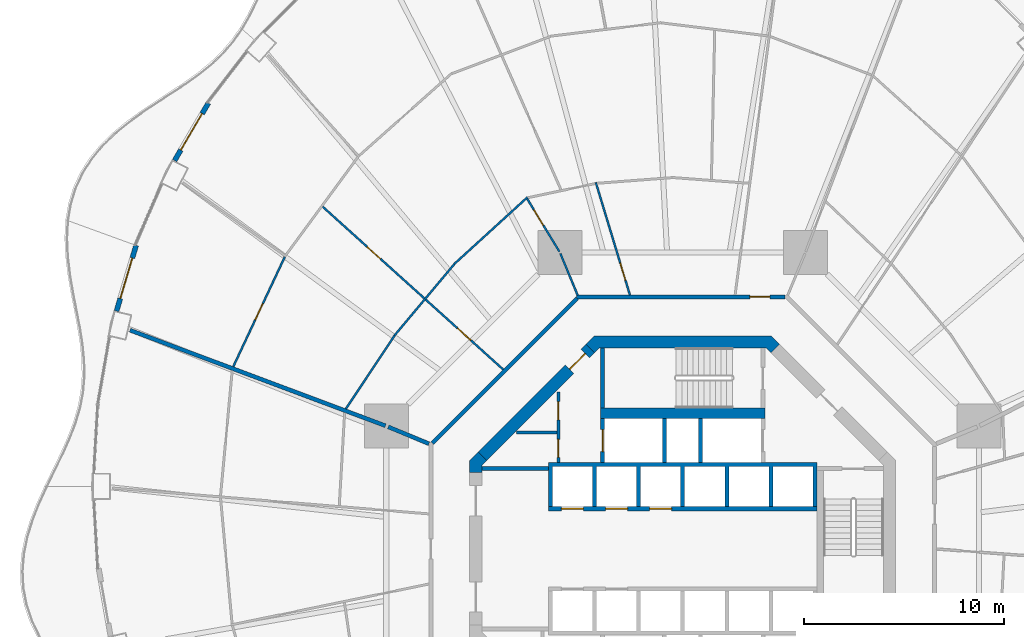
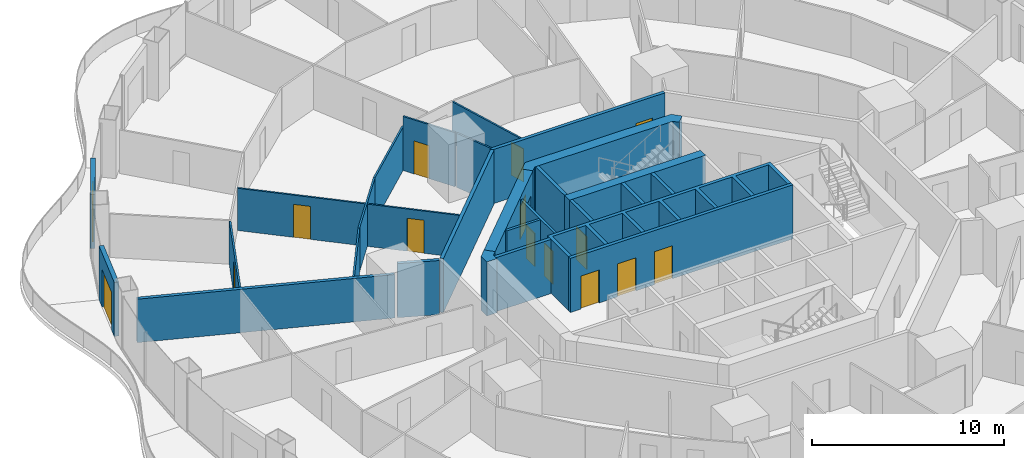
# One storey, part 17 of 22: 27 walls, 15 doors, 15 openings.
"""IFC4 building model written with IfcOpenShell, lengths in metres."""

from ifc_helpers import new_model, si_unit, direction, frame, frame_2d, origin, place, context, subcontext, project, spatial, polyline, rectangle, outline, extrude, material, layer, layer_set, type_object, element, fill, save


model = new_model("IFC4")

# Units and contexts
model_context = context("Model", 3, precision=1e-05, world=origin(), true_north=direction((0.0, 1.0)))
body_context = subcontext(model_context, "Body", "Model", "MODEL_VIEW")
ifc_project = project(units=[si_unit("LENGTHUNIT", "METRE"), si_unit("AREAUNIT", "SQUARE_METRE"), si_unit("VOLUMEUNIT", "CUBIC_METRE"), si_unit("PLANEANGLEUNIT", "RADIAN"), si_unit("MASSUNIT", "GRAM", prefix="KILO")], contexts=[model_context])

# Site, building, storey
site_placement = place(None, origin())
site = spatial("IfcSite", under=ifc_project, at=site_placement, CompositionType="ELEMENT")
building_placement = place(site_placement, origin())
building = spatial("IfcBuilding", under=site, at=building_placement, Name="Nagisa Residences", CompositionType="ELEMENT")
storey_placement = place(building_placement, frame((0.0, 0.0, 73.300048828125)))
storey = spatial("IfcBuildingStorey", under=building, at=storey_placement, Name="L17", CompositionType="ELEMENT", Elevation=73.300048828125)

# Walls
ifc_material_1 = material(Name="Gypsum board on steel studs", Category="steel")
ifc_layer_1 = layer(ifc_material_1, 0.199951171875)
ifc_layer_set_1 = layer_set([ifc_layer_1], Name="Apartment compartment wall EI60 200")
wall_type_1 = type_object("IfcWallType", Name="Apartment compartment wall EI60 200", PredefinedType="PARTITIONING", material=ifc_layer_set_1)
wall_1_placement = place(storey_placement, frame((-12.6572265625, 5.24267578125, 0.0), z_axis=(0.0, 0.0, 1.0), x_axis=(-0.923843626288, 0.382770106157, 0.0)))
element("IfcWall", 1, at=wall_1_placement, inside=storey, type_object=wall_type_1, Name="wall:L17:u02", PredefinedType="PARTITIONING", context=body_context, shape_type="SweptSolid", body=[
    extrude(rectangle(XDim=2.19921875, YDim=0.199951171875, at=frame_2d((1.099609375, 0.0))), origin(), (0.0, 0.0, 1.0), 3.43994140625),
])
wall_2_placement = place(storey_placement, frame((-14.828857421875, 6.140380859375, 0.0), z_axis=(0.0, 0.0, 1.0), x_axis=(-0.936597324342, 0.35040755134, 0.0)))
element("IfcWall", 2, at=wall_2_placement, inside=storey, type_object=wall_type_1, Name="wall:L17:u03", PredefinedType="PARTITIONING", context=body_context, shape_type="SweptSolid", body=[
    extrude(rectangle(XDim=13.605712890625, YDim=0.199951171875, at=frame_2d((6.802734375, 0.0))), origin(), (0.0, 0.0, 1.0), 2.761962890625),
])

# Wall, opening, door
ifc_material_2 = material(Name="Gypsum board on steel studs", Category="steel")
ifc_layer_2 = layer(ifc_material_2, 0.199951171875)
ifc_layer_set_2 = layer_set([ifc_layer_2], Name="Apartment entry wall EI60 200")
wall_type_2 = type_object("IfcWallType", Name="Apartment entry wall EI60 200", PredefinedType="PARTITIONING", material=ifc_layer_set_2)
wall_3_placement = place(storey_placement, frame((5.1044921875, 12.564697265625, 0.0), z_axis=(0.0, 0.0, 1.0), x_axis=(-1.0, 0.0, 0.0)))
wall_3 = element("IfcWall", 3, at=wall_3_placement, inside=storey, type_object=wall_type_2, Name="wall:L17:u10", PredefinedType="PARTITIONING", context=body_context, shape_type="SweptSolid", body=[
    extrude(rectangle(XDim=10.408935546875, YDim=0.199951171875, at=frame_2d((5.20458984375, 0.0))), origin(), (0.0, 0.0, 1.0), 3.43994140625),
])
opening_1_placement = place(wall_3_placement, frame((0.751220703125, 0.0, 0.0)))
opening_1 = element("IfcOpeningElement", 4, at=opening_1_placement, cuts=wall_3, Name="Opening L17-U01", PredefinedType="OPENING", context=body_context, shape_type="SweptSolid", body=[
    extrude(rectangle(XDim=1.0, YDim=2.10009765625, at=frame_2d((0.5, 1.050048828125))), frame((0.0, 0.10986328125, 0.0), z_axis=(0.0, -1.0, 0.0), x_axis=(1.0, 0.0, 0.0)), (0.0, 0.0, 1.0), 0.219970703125),
])
ifc_material_3 = material(Name="Timber fire door set", Category="wood")
door_type_1 = type_object("IfcDoorType", Name="Apartment entry door FD30S 1000x2100", OperationType="NOTDEFINED", PredefinedType="DOOR", material=ifc_material_3)
door_1_placement = place(opening_1_placement, frame((1.0, 0.0, 0.0), x_axis=(-1.0, 0.0, 0.0)))
door_1 = element("IfcDoor", 5, at=door_1_placement, inside=storey, type_object=door_type_1, Name="Entry door, Apartment 17A", OperationType="SINGLE_SWING_RIGHT", OverallHeight=2.10009765625, OverallWidth=1.0, PredefinedType="DOOR", context=body_context, shape_type="SweptSolid", body=[
    extrude(rectangle(XDim=1.0, YDim=2.10009765625, at=frame_2d((0.5, 1.050048828125))), frame((0.0, 0.02490234375, 0.0), z_axis=(0.0, -1.0, 0.0), x_axis=(1.0, 0.0, 0.0)), (0.0, 0.0, 1.0), 0.050048828125),
])
fill(opening_1, door_1)

# Wall
wall_4_placement = place(storey_placement, frame((-5.275146484375, 12.494140625, 0.0), z_axis=(0.0, 0.0, 1.0), x_axis=(-0.707106781187, -0.707106781187, 0.0)))
element("IfcWall", 6, at=wall_4_placement, inside=storey, type_object=wall_type_2, Name="wall:L17:u11", PredefinedType="PARTITIONING", context=body_context, shape_type="SweptSolid", body=[
    extrude(rectangle(XDim=10.209228515625, YDim=0.199951171875, at=frame_2d((5.1044921875, 0.0))), origin(), (0.0, 0.0, 1.0), 3.43994140625),
])

# Wall, opening, door
ifc_material_4 = material(Name="Gypsum board on steel studs", Category="steel")
ifc_layer_3 = layer(ifc_material_4, 0.10009765625)
ifc_layer_set_3 = layer_set([ifc_layer_3], Name="Apartment partition 100")
wall_type_3 = type_object("IfcWallType", Name="Apartment partition 100", PredefinedType="PARTITIONING", material=ifc_layer_set_3)
wall_5_placement = place(storey_placement, frame((-2.63134765625, 12.660400390625, 0.0), z_axis=(0.0, 0.0, 1.0), x_axis=(-0.290145836284, 0.956982441682, 0.0)))
wall_5 = element("IfcWall", 7, at=wall_5_placement, inside=storey, type_object=wall_type_3, Name="wall:L17:u38", PredefinedType="PARTITIONING", context=body_context, shape_type="SweptSolid", body=[
    extrude(rectangle(XDim=5.873291015625, YDim=0.10009765625, at=frame_2d((2.9365234375, 0.0))), origin(), (0.0, 0.0, 1.0), 2.68701171875),
])
opening_2_placement = place(wall_5_placement, frame((0.772216796875, 0.0, 0.0)))
opening_2 = element("IfcOpeningElement", 8, at=opening_2_placement, cuts=wall_5, Name="Opening L17-U04", PredefinedType="OPENING", context=body_context, shape_type="SweptSolid", body=[
    extrude(rectangle(XDim=0.89990234375, YDim=2.10009765625, at=frame_2d((0.449951171875, 1.050048828125))), frame((0.0, 0.06005859375, 0.0), z_axis=(0.0, -1.0, 0.0), x_axis=(1.0, 0.0, 0.0)), (0.0, 0.0, 1.0), 0.1201171875),
])
ifc_material_5 = material(Name="Timber door set", Category="wood")
door_type_2 = type_object("IfcDoorType", Name="Apartment door 900x2100", OperationType="NOTDEFINED", PredefinedType="DOOR", material=ifc_material_5)
door_2_placement = place(opening_2_placement, origin())
door_2 = element("IfcDoor", 9, at=door_2_placement, inside=storey, type_object=door_type_2, Name="Door to laundry, Apartment 17A", OperationType="SINGLE_SWING_RIGHT", OverallHeight=2.10009765625, OverallWidth=0.89990234375, PredefinedType="DOOR", context=body_context, shape_type="SweptSolid", body=[
    extrude(rectangle(XDim=0.89990234375, YDim=2.10009765625, at=frame_2d((0.449951171875, 1.050048828125))), frame((0.0, 0.02490234375, 0.0), z_axis=(0.0, -1.0, 0.0), x_axis=(1.0, 0.0, 0.0)), (0.0, 0.0, 1.0), 0.050048828125),
])
fill(opening_2, door_2)

# Wall
wall_6_placement = place(storey_placement, frame((-5.24267578125, 12.6572265625, 0.0), z_axis=(0.0, 0.0, 1.0), x_axis=(-0.382703272338, 0.923871314276, 0.0)))
element("IfcWall", 10, at=wall_6_placement, inside=storey, type_object=wall_type_3, Name="wall:L17:u42", PredefinedType="PARTITIONING", context=body_context, shape_type="SweptSolid", body=[
    extrude(rectangle(XDim=2.249267578125, YDim=0.10009765625, at=frame_2d((1.12451171875, 0.0))), origin(), (0.0, 0.0, 1.0), 3.43994140625),
])

# Wall, opening, door
wall_7_placement = place(storey_placement, frame((-6.14892578125, 14.82470703125, 0.0), z_axis=(0.0, 0.0, 1.0), x_axis=(-0.520433196839, 0.853902387646, 0.0)))
wall_7 = element("IfcWall", 11, at=wall_7_placement, inside=storey, type_object=wall_type_3, Name="wall:L17:u43", PredefinedType="PARTITIONING", context=body_context, shape_type="SweptSolid", body=[
    extrude(rectangle(XDim=3.089599609375, YDim=0.10009765625, at=frame_2d((1.544921875, 0.0))), origin(), (0.0, 0.0, 1.0), 3.43994140625),
])
opening_3_placement = place(wall_7_placement, frame((1.54150390625, 0.0, 0.0)))
opening_3 = element("IfcOpeningElement", 12, at=opening_3_placement, cuts=wall_7, Name="Opening L17-U05", PredefinedType="OPENING", context=body_context, shape_type="SweptSolid", body=[
    extrude(rectangle(XDim=0.89990234375, YDim=2.10009765625, at=frame_2d((0.449951171875, 1.050048828125))), frame((0.0, 0.06005859375, 0.0), z_axis=(0.0, -1.0, 0.0), x_axis=(1.0, 0.0, 0.0)), (0.0, 0.0, 1.0), 0.1201171875),
])
door_3_placement = place(opening_3_placement, origin())
door_3 = element("IfcDoor", 13, at=door_3_placement, inside=storey, type_object=door_type_2, Name="Door to store, Apartment 17A", OperationType="SINGLE_SWING_LEFT", OverallHeight=2.10009765625, OverallWidth=0.89990234375, PredefinedType="DOOR", context=body_context, shape_type="SweptSolid", body=[
    extrude(rectangle(XDim=0.89990234375, YDim=2.10009765625, at=frame_2d((0.449951171875, 1.050048828125))), frame((0.0, 0.02490234375, 0.0), z_axis=(0.0, -1.0, 0.0), x_axis=(1.0, 0.0, 0.0)), (0.0, 0.0, 1.0), 0.050048828125),
])
fill(opening_3, door_3)

# Walls
wall_8_placement = place(storey_placement, frame((-7.745849609375, 17.539306640625, 0.0), z_axis=(0.0, 0.0, 1.0), x_axis=(-0.738860434967, -0.673858484877, 0.0)))
element("IfcWall", 14, at=wall_8_placement, inside=storey, type_object=wall_type_3, Name="wall:L17:u44", PredefinedType="PARTITIONING", context=body_context, shape_type="SweptSolid", body=[
    extrude(rectangle(XDim=4.946533203125, YDim=0.10009765625, at=frame_2d((2.47314453125, 0.0))), origin(), (0.0, 0.0, 1.0), 2.761962890625),
])
wall_9_placement = place(storey_placement, frame((-11.39599609375, 14.20166015625, 0.0), z_axis=(0.0, 0.0, 1.0), x_axis=(-0.642475660273, -0.766306091557, 0.0)))
element("IfcWall", 15, at=wall_9_placement, inside=storey, type_object=wall_type_3, Name="wall:L17:u46", PredefinedType="PARTITIONING", context=body_context, shape_type="SweptSolid", body=[
    extrude(rectangle(XDim=4.63720703125, YDim=0.10009765625, at=frame_2d((2.318603515625, 0.0))), origin(), (0.0, 0.0, 1.0), 2.761962890625),
])

# Wall, openings, doors
wall_10_placement = place(storey_placement, frame((-8.958984375, 8.95166015625, 0.0), z_axis=(0.0, 0.0, 1.0), x_axis=(-0.742679904999, 0.669646592398, 0.0)))
wall_10 = element("IfcWall", 16, at=wall_10_placement, inside=storey, type_object=wall_type_3, Name="wall:L17:u49", PredefinedType="PARTITIONING", context=body_context, shape_type="SweptSolid", body=[
    extrude(rectangle(XDim=12.121337890625, YDim=0.10009765625, at=frame_2d((6.060546875, 0.0))), origin(), (0.0, 0.0, 1.0), 2.68701171875),
])
opening_4_placement = place(wall_10_placement, frame((2.172119140625, 0.0, 0.0)))
opening_4 = element("IfcOpeningElement", 17, at=opening_4_placement, cuts=wall_10, Name="Opening L17-U06", PredefinedType="OPENING", context=body_context, shape_type="SweptSolid", body=[
    extrude(rectangle(XDim=0.89990234375, YDim=2.10009765625, at=frame_2d((0.449951171875, 1.050048828125))), frame((0.0, 0.06005859375, 0.0), z_axis=(0.0, -1.0, 0.0), x_axis=(1.0, 0.0, 0.0)), (0.0, 0.0, 1.0), 0.1201171875),
])
opening_5_placement = place(wall_10_placement, frame((8.232666015625, 0.0, 0.0)))
opening_5 = element("IfcOpeningElement", 18, at=opening_5_placement, cuts=wall_10, Name="Opening L17-U11", PredefinedType="OPENING", context=body_context, shape_type="SweptSolid", body=[
    extrude(rectangle(XDim=0.89990234375, YDim=2.10009765625, at=frame_2d((0.449951171875, 1.050048828125))), frame((0.0, 0.06005859375, 0.0), z_axis=(0.0, -1.0, 0.0), x_axis=(1.0, 0.0, 0.0)), (0.0, 0.0, 1.0), 0.1201171875),
])
door_4_placement = place(opening_4_placement, origin())
door_4 = element("IfcDoor", 19, at=door_4_placement, inside=storey, type_object=door_type_2, Name="Door to laundry, Apartment 17A", OperationType="SINGLE_SWING_RIGHT", OverallHeight=2.10009765625, OverallWidth=0.89990234375, PredefinedType="DOOR", context=body_context, shape_type="SweptSolid", body=[
    extrude(rectangle(XDim=0.89990234375, YDim=2.10009765625, at=frame_2d((0.449951171875, 1.050048828125))), frame((0.0, 0.02490234375, 0.0), z_axis=(0.0, -1.0, 0.0), x_axis=(1.0, 0.0, 0.0)), (0.0, 0.0, 1.0), 0.050048828125),
])
fill(opening_4, door_4)
door_5_placement = place(opening_5_placement, origin())
door_5 = element("IfcDoor", 20, at=door_5_placement, inside=storey, type_object=door_type_2, Name="Door to dining room, Apartment 17A", OperationType="SINGLE_SWING_LEFT", OverallHeight=2.10009765625, OverallWidth=0.89990234375, PredefinedType="DOOR", context=body_context, shape_type="SweptSolid", body=[
    extrude(rectangle(XDim=0.89990234375, YDim=2.10009765625, at=frame_2d((0.449951171875, 1.050048828125))), frame((0.0, 0.02490234375, 0.0), z_axis=(0.0, -1.0, 0.0), x_axis=(1.0, 0.0, 0.0)), (0.0, 0.0, 1.0), 0.050048828125),
])
fill(opening_5, door_5)

# Wall
wall_11_placement = place(storey_placement, frame((-14.370849609375, 10.64501953125, 0.0), z_axis=(0.0, 0.0, 1.0), x_axis=(-0.553341009285, -0.832954817168, 0.0)))
element("IfcWall", 21, at=wall_11_placement, inside=storey, type_object=wall_type_3, Name="wall:L17:u50", PredefinedType="PARTITIONING", context=body_context, shape_type="SweptSolid", body=[
    extrude(rectangle(XDim=4.396240234375, YDim=0.10009765625, at=frame_2d((2.1982421875, 0.0))), origin(), (0.0, 0.0, 1.0), 2.761962890625),
])

# Wall, opening, door
wall_12_placement = place(storey_placement, frame((-19.85009765625, 14.5673828125, 0.0), z_axis=(0.0, 0.0, 1.0), x_axis=(-0.424942210745, -0.905220480064, 0.0)))
wall_12 = element("IfcWall", 22, at=wall_12_placement, inside=storey, type_object=wall_type_3, Name="wall:L17:u52", PredefinedType="PARTITIONING", context=body_context, shape_type="SweptSolid", body=[
    extrude(rectangle(XDim=6.05322265625, YDim=0.10009765625, at=frame_2d((3.026611328125, 0.0))), origin(), (0.0, 0.0, 1.0), 2.761962890625),
])
opening_6_placement = place(wall_12_placement, frame((2.57666015625, 0.0, 0.0)))
opening_6 = element("IfcOpeningElement", 23, at=opening_6_placement, cuts=wall_12, Name="Opening L17-U18", PredefinedType="OPENING", context=body_context, shape_type="SweptSolid", body=[
    extrude(rectangle(XDim=0.89990234375, YDim=2.10009765625, at=frame_2d((0.449951171875, 1.050048828125))), frame((0.0, 0.06005859375, 0.0), z_axis=(0.0, -1.0, 0.0), x_axis=(1.0, 0.0, 0.0)), (0.0, 0.0, 1.0), 0.1201171875),
])
door_6_placement = place(opening_6_placement, frame((0.89990234375, 0.0, 0.0), x_axis=(-1.0, 0.0, 0.0)))
door_6 = element("IfcDoor", 24, at=door_6_placement, inside=storey, type_object=door_type_2, Name="Door to dining room, Apartment 17A", OperationType="SINGLE_SWING_LEFT", OverallHeight=2.10009765625, OverallWidth=0.89990234375, PredefinedType="DOOR", context=body_context, shape_type="SweptSolid", body=[
    extrude(rectangle(XDim=0.89990234375, YDim=2.10009765625, at=frame_2d((0.449951171875, 1.050048828125))), frame((0.0, 0.02490234375, 0.0), z_axis=(0.0, -1.0, 0.0), x_axis=(1.0, 0.0, 0.0)), (0.0, 0.0, 1.0), 0.050048828125),
])
fill(opening_6, door_6)

ifc_material_6 = material(Name="Precast concrete C40/50", Category="concrete")
ifc_layer_4 = layer(ifc_material_6, 0.25)
ifc_layer_set_4 = layer_set([ifc_layer_4], Name="BALCONY DOOR WALL 250")
wall_type_4 = type_object("IfcWallType", Name="BALCONY DOOR WALL 250", PredefinedType="SOLIDWALL", material=ifc_layer_set_4)
wall_13_placement = place(storey_placement, frame((-25.34765625, 19.372314453125, 0.0), z_axis=(0.0, 0.0, 1.0), x_axis=(0.506352525095, 0.86232657406, 0.0)))
wall_13 = element("IfcWall", 25, at=wall_13_placement, inside=storey, type_object=wall_type_4, Name="wall:L17:bay19", PredefinedType="SOLIDWALL", context=body_context, shape_type="SweptSolid", body=[
    extrude(rectangle(XDim=3.324951171875, YDim=0.25, at=frame_2d((1.66259765625, 0.0))), origin(), (0.0, 0.0, 1.0), 3.43994140625),
])
opening_7_placement = place(wall_13_placement, frame((0.6123046875, 0.0, 0.0)))
opening_7 = element("IfcOpeningElement", 26, at=opening_7_placement, cuts=wall_13, Name="Opening BD-L17-07", PredefinedType="OPENING", context=body_context, shape_type="SweptSolid", body=[
    extrude(rectangle(XDim=2.10009765625, YDim=2.39990234375, at=frame_2d((1.050048828125, 1.199951171875))), frame((0.0, 0.135009765625, 0.0), z_axis=(0.0, -1.0, 0.0), x_axis=(1.0, 0.0, 0.0)), (0.0, 0.0, 1.0), 0.27001953125),
])
ifc_material_7 = material(Name="Aluminium and clear glass", Category="aluminium")
door_type_3 = type_object("IfcDoorType", Name="BALCONY SLIDING DOOR 2100x2400", OperationType="SLIDING_TO_LEFT", PredefinedType="DOOR", material=ifc_material_7)
door_7_placement = place(opening_7_placement, origin())
door_7 = element("IfcDoor", 27, at=door_7_placement, inside=storey, type_object=door_type_3, Name="door:L17:bay19", OperationType="SLIDING_TO_LEFT", OverallHeight=2.39990234375, OverallWidth=2.10009765625, PredefinedType="DOOR", context=body_context, shape_type="SweptSolid", body=[
    extrude(rectangle(XDim=2.10009765625, YDim=2.39990234375, at=frame_2d((1.050048828125, 1.199951171875))), frame((0.0, 0.02490234375, 0.0), z_axis=(0.0, -1.0, 0.0), x_axis=(1.0, 0.0, 0.0)), (0.0, 0.0, 1.0), 0.050048828125),
])
fill(opening_7, door_7)

wall_14_placement = place(storey_placement, frame((-28.24560546875, 11.861572265625, 0.0), z_axis=(0.0, 0.0, 1.0), x_axis=(0.285816610469, 0.958284334203, 0.0)))
wall_14 = element("IfcWall", 28, at=wall_14_placement, inside=storey, type_object=wall_type_4, Name="wall:L17:bay21", PredefinedType="SOLIDWALL", context=body_context, shape_type="SweptSolid", body=[
    extrude(rectangle(XDim=3.423583984375, YDim=0.25, at=frame_2d((1.7119140625, 0.0))), origin(), (0.0, 0.0, 1.0), 3.43994140625),
])
opening_8_placement = place(wall_14_placement, frame((0.661865234375, 0.0, 0.0)))
opening_8 = element("IfcOpeningElement", 29, at=opening_8_placement, cuts=wall_14, Name="Opening BD-L17-08", PredefinedType="OPENING", context=body_context, shape_type="SweptSolid", body=[
    extrude(rectangle(XDim=2.10009765625, YDim=2.39990234375, at=frame_2d((1.050048828125, 1.199951171875))), frame((0.0, 0.135009765625, 0.0), z_axis=(0.0, -1.0, 0.0), x_axis=(1.0, 0.0, 0.0)), (0.0, 0.0, 1.0), 0.27001953125),
])
door_8_placement = place(opening_8_placement, origin())
door_8 = element("IfcDoor", 30, at=door_8_placement, inside=storey, type_object=door_type_3, Name="door:L17:bay21", OperationType="SLIDING_TO_LEFT", OverallHeight=2.39990234375, OverallWidth=2.10009765625, PredefinedType="DOOR", context=body_context, shape_type="SweptSolid", body=[
    extrude(rectangle(XDim=2.10009765625, YDim=2.39990234375, at=frame_2d((1.050048828125, 1.199951171875))), frame((0.0, 0.02490234375, 0.0), z_axis=(0.0, -1.0, 0.0), x_axis=(1.0, 0.0, 0.0)), (0.0, 0.0, 1.0), 0.050048828125),
])
fill(opening_8, door_8)

# Wall, openings, doors
ifc_material_8 = material(Name="Gypsum board on steel studs", Category="steel")
ifc_layer_5 = layer(ifc_material_8, 0.14990234375)
ifc_layer_set_5 = layer_set([ifc_layer_5], Name="Core partition 150")
wall_type_5 = type_object("IfcWallType", Name="Core partition 150", PredefinedType="PARTITIONING", material=ifc_layer_set_5)
wall_15_placement = place(storey_placement, frame((-6.199951171875, 4.300048828125, 0.0), z_axis=(0.0, 0.0, 1.0), x_axis=(0.0, 1.0, 0.0)))
wall_15 = element("IfcWall", 31, at=wall_15_placement, inside=storey, type_object=wall_type_5, Name="wall:L17:NWp", PredefinedType="PARTITIONING", context=body_context, shape_type="SweptSolid", body=[
    extrude(rectangle(XDim=3.52685546875, YDim=0.14990234375, at=frame_2d((1.763427734375, 0.0))), origin(), (0.0, 0.0, 1.0), 3.43994140625),
])
opening_9_placement = place(wall_15_placement, frame((0.262451171875, 0.0, 0.0)))
opening_9 = element("IfcOpeningElement", 32, at=opening_9_placement, cuts=wall_15, Name="Opening L17-C12", PredefinedType="OPENING", context=body_context, shape_type="SweptSolid", body=[
    extrude(rectangle(XDim=0.89990234375, YDim=2.10009765625, at=frame_2d((0.449951171875, 1.050048828125))), frame((0.0, 0.0849609375, 0.0), z_axis=(0.0, -1.0, 0.0), x_axis=(1.0, 0.0, 0.0)), (0.0, 0.0, 1.0), 0.169921875),
])
opening_10_placement = place(wall_15_placement, frame((2.138427734375, 0.0, 0.0)))
opening_10 = element("IfcOpeningElement", 33, at=opening_10_placement, cuts=wall_15, Name="Opening L17-C13", PredefinedType="OPENING", context=body_context, shape_type="SweptSolid", body=[
    extrude(rectangle(XDim=0.89990234375, YDim=2.10009765625, at=frame_2d((0.449951171875, 1.050048828125))), frame((0.0, 0.0849609375, 0.0), z_axis=(0.0, -1.0, 0.0), x_axis=(1.0, 0.0, 0.0)), (0.0, 0.0, 1.0), 0.169921875),
])
ifc_material_9 = material(Name="Steel fire door", Category="steel")
door_type_4 = type_object("IfcDoorType", Name="Fire door EI30 900x2100 single swing", OperationType="NOTDEFINED", PredefinedType="DOOR", material=ifc_material_9)
door_9_placement = place(opening_9_placement, origin())
door_9 = element("IfcDoor", 34, at=door_9_placement, inside=storey, type_object=door_type_4, Name="Electrical room door L17", OperationType="SINGLE_SWING_RIGHT", OverallHeight=2.10009765625, OverallWidth=0.89990234375, PredefinedType="DOOR", context=body_context, shape_type="SweptSolid", body=[
    extrude(rectangle(XDim=0.89990234375, YDim=2.10009765625, at=frame_2d((0.449951171875, 1.050048828125))), frame((0.0, 0.02490234375, 0.0), z_axis=(0.0, -1.0, 0.0), x_axis=(1.0, 0.0, 0.0)), (0.0, 0.0, 1.0), 0.050048828125),
])
fill(opening_9, door_9)
door_10_placement = place(opening_10_placement, origin())
door_10 = element("IfcDoor", 35, at=door_10_placement, inside=storey, type_object=door_type_4, Name="Telecom room door L17", OperationType="SINGLE_SWING_RIGHT", OverallHeight=2.10009765625, OverallWidth=0.89990234375, PredefinedType="DOOR", context=body_context, shape_type="SweptSolid", body=[
    extrude(rectangle(XDim=0.89990234375, YDim=2.10009765625, at=frame_2d((0.449951171875, 1.050048828125))), frame((0.0, 0.02490234375, 0.0), z_axis=(0.0, -1.0, 0.0), x_axis=(1.0, 0.0, 0.0)), (0.0, 0.0, 1.0), 0.050048828125),
])
fill(opening_10, door_10)

# Walls
wall_16_placement = place(storey_placement, frame((-8.301025390625, 5.800048828125, 0.0), z_axis=(0.0, 0.0, 1.0), x_axis=(1.0, 0.0, 0.0)))
element("IfcWall", 36, at=wall_16_placement, inside=storey, type_object=wall_type_5, Name="wall:L17:NWq", PredefinedType="PARTITIONING", context=body_context, shape_type="SweptSolid", body=[
    extrude(rectangle(XDim=2.026123046875, YDim=0.14990234375, at=frame_2d((1.01318359375, 0.0))), origin(), (0.0, 0.0, 1.0), 3.43994140625),
])
ifc_material_10 = material(Name="Gypsum board on steel studs", Category="steel")
ifc_layer_6 = layer(ifc_material_10, 0.199951171875)
ifc_layer_set_6 = layer_set([ifc_layer_6], Name="Core partition 200")
wall_type_6 = type_object("IfcWallType", Name="Core partition 200", PredefinedType="PARTITIONING", material=ifc_layer_set_6)
wall_17_placement = place(storey_placement, frame((-10.024658203125, 4.0, 0.0), z_axis=(0.0, 0.0, 1.0), x_axis=(1.0, 0.0, 0.0)))
element("IfcWall", 37, at=wall_17_placement, inside=storey, type_object=wall_type_6, Name="wall:L17:PNW", PredefinedType="PARTITIONING", context=body_context, shape_type="SweptSolid", body=[
    extrude(rectangle(XDim=3.32470703125, YDim=0.199951171875, at=frame_2d((1.662353515625, 0.0))), origin(), (0.0, 0.0, 1.0), 3.43994140625),
])

# Wall, opening, door
ifc_material_11 = material(Name="Concrete C60", Category="concrete")
ifc_layer_7 = layer(ifc_material_11, 0.60009765625)
ifc_layer_set_7 = layer_set([ifc_layer_7], Name="Core shear wall 600")
wall_type_7 = type_object("IfcWallType", Name="Core shear wall 600", PredefinedType="SHEAR", material=ifc_layer_set_7)
wall_18_placement = place(storey_placement, frame((-4.613037109375, 9.98828125, 0.0), z_axis=(0.0, 0.0, 1.0), x_axis=(-0.707106781187, -0.707106781187, 0.0)))
wall_18 = element("IfcWall", 38, at=wall_18_placement, inside=storey, type_object=wall_type_7, Name="wall:L17:core:flat3", PredefinedType="SHEAR", context=body_context, shape_type="SweptSolid", body=[
    extrude(rectangle(XDim=7.601806640625, YDim=0.60009765625, at=frame_2d((3.80078125, 0.0))), origin(), (0.0, 0.0, 1.0), 3.43994140625),
])
opening_11_placement = place(wall_18_placement, frame((0.350830078125, 0.0, 0.0)))
opening_11 = element("IfcOpeningElement", 39, at=opening_11_placement, cuts=wall_18, Name="Opening L17-C20", PredefinedType="OPENING", context=body_context, shape_type="SweptSolid", body=[
    extrude(rectangle(XDim=1.10009765625, YDim=2.10009765625, at=frame_2d((0.550048828125, 1.050048828125))), frame((0.0, 0.31005859375, 0.0), z_axis=(0.0, -1.0, 0.0), x_axis=(1.0, 0.0, 0.0)), (0.0, 0.0, 1.0), 0.6201171875),
])
ifc_material_12 = material(Name="Steel fire door", Category="steel")
door_type_5 = type_object("IfcDoorType", Name="Fire door EI60 1100x2100 single swing", OperationType="NOTDEFINED", PredefinedType="DOOR", material=ifc_material_12)
door_11_placement = place(opening_11_placement, origin())
door_11 = element("IfcDoor", 40, at=door_11_placement, inside=storey, type_object=door_type_5, Name="Service lobby door L17", OperationType="SINGLE_SWING_LEFT", OverallHeight=2.10009765625, OverallWidth=1.10009765625, PredefinedType="DOOR", context=body_context, shape_type="SweptSolid", body=[
    extrude(rectangle(XDim=1.10009765625, YDim=2.10009765625, at=frame_2d((0.550048828125, 1.050048828125))), frame((0.0, 0.02490234375, 0.0), z_axis=(0.0, -1.0, 0.0), x_axis=(1.0, 0.0, 0.0)), (0.0, 0.0, 1.0), 0.050048828125),
])
fill(opening_11, door_11)

# Walls
wall_19_placement = place(storey_placement, origin())
element("IfcWall", 41, at=wall_19_placement, inside=storey, type_object=wall_type_7, Name="wall:L17:core:pier3", PredefinedType="SHEAR", context=body_context, shape_type="SweptSolid", body=[
    extrude(outline(polyline([(-10.200439453125, 4.8251953125), (-9.776123046875, 4.40087890625), (-10.024658203125, 4.15234375), (-10.024658203125, 3.80078125), (-10.62451171875, 3.80078125), (-10.62451171875, 4.40087890625), (-10.200439453125, 4.8251953125)])), origin(), (0.0, 0.0, 1.0), 3.43994140625),
])
wall_20_placement = place(storey_placement, origin())
element("IfcWall", 42, at=wall_20_placement, inside=storey, type_object=wall_type_7, Name="wall:L17:core:flat2", PredefinedType="SHEAR", context=body_context, shape_type="SweptSolid", body=[
    extrude(outline(polyline([(-4.15234375, 10.024658203125), (-4.40087890625, 9.776123046875), (-4.8251953125, 10.200439453125), (-4.40087890625, 10.62451171875), (4.40087890625, 10.62451171875), (4.8251953125, 10.200439453125), (4.40087890625, 9.776123046875), (4.15234375, 10.024658203125), (-4.15234375, 10.024658203125)])), origin(), (0.0, 0.0, 1.0), 3.43994140625),
])

# Wall, opening, door
ifc_material_13 = material(Name="Concrete C60", Category="concrete")
ifc_layer_8 = layer(ifc_material_13, 0.199951171875)
ifc_layer_set_8 = layer_set([ifc_layer_8], Name="Lift shaft wall 200")
wall_type_8 = type_object("IfcWallType", Name="Lift shaft wall 200", PredefinedType="SOLIDWALL", material=ifc_layer_set_8)
wall_21_placement = place(storey_placement, frame((-4.0, 4.300048828125, 0.0), z_axis=(0.0, 0.0, 1.0), x_axis=(0.0, 1.0, 0.0)))
wall_21 = element("IfcWall", 43, at=wall_21_placement, inside=storey, type_object=wall_type_8, Name="wall:L17:Nb4", PredefinedType="SOLIDWALL", context=body_context, shape_type="SweptSolid", body=[
    extrude(rectangle(XDim=2.199951171875, YDim=0.199951171875, at=frame_2d((1.10009765625, 0.0))), origin(), (0.0, 0.0, 1.0), 3.43994140625),
])
opening_12_placement = place(wall_21_placement, frame((0.550048828125, 0.0, 0.0)))
opening_12 = element("IfcOpeningElement", 44, at=opening_12_placement, cuts=wall_21, Name="Opening L17-C08", PredefinedType="OPENING", context=body_context, shape_type="SweptSolid", body=[
    extrude(rectangle(XDim=1.10009765625, YDim=2.10009765625, at=frame_2d((0.550048828125, 1.050048828125))), frame((0.0, 0.10986328125, 0.0), z_axis=(0.0, -1.0, 0.0), x_axis=(1.0, 0.0, 0.0)), (0.0, 0.0, 1.0), 0.219970703125),
])
ifc_material_14 = material(Name="Stainless steel", Category="steel")
door_type_6 = type_object("IfcDoorType", Name="Lift landing door 1100x2100", OperationType="DOUBLE_DOOR_SLIDING", PredefinedType="DOOR", material=ifc_material_14)
door_12_placement = place(opening_12_placement, origin())
door_12 = element("IfcDoor", 45, at=door_12_placement, inside=storey, type_object=door_type_6, Name="Landing door SV L17", OperationType="DOUBLE_DOOR_SLIDING", OverallHeight=2.10009765625, OverallWidth=1.10009765625, PredefinedType="DOOR", context=body_context, shape_type="SweptSolid", body=[
    extrude(rectangle(XDim=1.10009765625, YDim=2.10009765625, at=frame_2d((0.550048828125, 1.050048828125))), frame((0.0, 0.02490234375, 0.0), z_axis=(0.0, -1.0, 0.0), x_axis=(1.0, 0.0, 0.0)), (0.0, 0.0, 1.0), 0.050048828125),
])
fill(opening_12, door_12)

# Wall, openings, doors
wall_22_placement = place(storey_placement, frame((-6.699951171875, 2.0, 0.0), z_axis=(0.0, 0.0, 1.0), x_axis=(1.0, 0.0, 0.0)))
wall_22 = element("IfcWall", 46, at=wall_22_placement, inside=storey, type_object=wall_type_8, Name="wall:L17:Nfront", PredefinedType="SOLIDWALL", context=body_context, shape_type="SweptSolid", body=[
    extrude(rectangle(XDim=13.39990234375, YDim=0.199951171875, at=frame_2d((6.699951171875, 0.0))), origin(), (0.0, 0.0, 1.0), 3.43994140625),
])
opening_13_placement = place(wall_22_placement, frame((0.64990234375, 0.0, 0.0)))
opening_13 = element("IfcOpeningElement", 47, at=opening_13_placement, cuts=wall_22, Name="Opening L17-C01", PredefinedType="OPENING", context=body_context, shape_type="SweptSolid", body=[
    extrude(rectangle(XDim=1.10009765625, YDim=2.10009765625, at=frame_2d((0.550048828125, 1.050048828125))), frame((0.0, 0.10986328125, 0.0), z_axis=(0.0, -1.0, 0.0), x_axis=(1.0, 0.0, 0.0)), (0.0, 0.0, 1.0), 0.219970703125),
])
opening_14_placement = place(wall_22_placement, frame((2.85009765625, 0.0, 0.0)))
opening_14 = element("IfcOpeningElement", 48, at=opening_14_placement, cuts=wall_22, Name="Opening L17-C02", PredefinedType="OPENING", context=body_context, shape_type="SweptSolid", body=[
    extrude(rectangle(XDim=1.10009765625, YDim=2.10009765625, at=frame_2d((0.550048828125, 1.050048828125))), frame((0.0, 0.10986328125, 0.0), z_axis=(0.0, -1.0, 0.0), x_axis=(1.0, 0.0, 0.0)), (0.0, 0.0, 1.0), 0.219970703125),
])
opening_15_placement = place(wall_22_placement, frame((5.050048828125, 0.0, 0.0)))
opening_15 = element("IfcOpeningElement", 49, at=opening_15_placement, cuts=wall_22, Name="Opening L17-C03", PredefinedType="OPENING", context=body_context, shape_type="SweptSolid", body=[
    extrude(rectangle(XDim=1.10009765625, YDim=2.10009765625, at=frame_2d((0.550048828125, 1.050048828125))), frame((0.0, 0.10986328125, 0.0), z_axis=(0.0, -1.0, 0.0), x_axis=(1.0, 0.0, 0.0)), (0.0, 0.0, 1.0), 0.219970703125),
])
door_13_placement = place(opening_13_placement, origin())
door_13 = element("IfcDoor", 50, at=door_13_placement, inside=storey, type_object=door_type_6, Name="Landing door A1 L17", OperationType="DOUBLE_DOOR_SLIDING", OverallHeight=2.10009765625, OverallWidth=1.10009765625, PredefinedType="DOOR", context=body_context, shape_type="SweptSolid", body=[
    extrude(rectangle(XDim=1.10009765625, YDim=2.10009765625, at=frame_2d((0.550048828125, 1.050048828125))), frame((0.0, 0.02490234375, 0.0), z_axis=(0.0, -1.0, 0.0), x_axis=(1.0, 0.0, 0.0)), (0.0, 0.0, 1.0), 0.050048828125),
])
fill(opening_13, door_13)
door_14_placement = place(opening_14_placement, origin())
door_14 = element("IfcDoor", 51, at=door_14_placement, inside=storey, type_object=door_type_6, Name="Landing door A2 L17", OperationType="DOUBLE_DOOR_SLIDING", OverallHeight=2.10009765625, OverallWidth=1.10009765625, PredefinedType="DOOR", context=body_context, shape_type="SweptSolid", body=[
    extrude(rectangle(XDim=1.10009765625, YDim=2.10009765625, at=frame_2d((0.550048828125, 1.050048828125))), frame((0.0, 0.02490234375, 0.0), z_axis=(0.0, -1.0, 0.0), x_axis=(1.0, 0.0, 0.0)), (0.0, 0.0, 1.0), 0.050048828125),
])
fill(opening_14, door_14)
door_15_placement = place(opening_15_placement, origin())
door_15 = element("IfcDoor", 52, at=door_15_placement, inside=storey, type_object=door_type_6, Name="Landing door A3 L17", OperationType="DOUBLE_DOOR_SLIDING", OverallHeight=2.10009765625, OverallWidth=1.10009765625, PredefinedType="DOOR", context=body_context, shape_type="SweptSolid", body=[
    extrude(rectangle(XDim=1.10009765625, YDim=2.10009765625, at=frame_2d((0.550048828125, 1.050048828125))), frame((0.0, 0.02490234375, 0.0), z_axis=(0.0, -1.0, 0.0), x_axis=(1.0, 0.0, 0.0)), (0.0, 0.0, 1.0), 0.050048828125),
])
fill(opening_15, door_15)

# Walls
for number, where, z_axis, x_axis, name in (
    (53, (-0.89990234375, 4.300048828125, 0.0), (0.0, 0.0, 1.0), (0.0, 1.0, 0.0), "wall:L17:Nb1"),
    (54, (0.89990234375, 4.300048828125, 0.0), (0.0, 0.0, 1.0), (0.0, 1.0, 0.0), "wall:L17:Nb2"),
):
    element("IfcWall", number, at=place(storey_placement, frame(where, z_axis=z_axis, x_axis=x_axis)), inside=storey, type_object=wall_type_8, Name=name, PredefinedType="SOLIDWALL", context=body_context, shape_type="SweptSolid", body=[
        extrude(rectangle(XDim=2.199951171875, YDim=0.199951171875, at=frame_2d((1.10009765625, 0.0))), origin(), (0.0, 0.0, 1.0), 3.43994140625),
    ])
wall_23_placement = place(storey_placement, origin())
element("IfcWall", 55, at=wall_23_placement, inside=storey, type_object=wall_type_8, Name="wall:L17:Nback", PredefinedType="SOLIDWALL", context=body_context, shape_type="SweptSolid", body=[
    extrude(outline(polyline([(-6.5, 2.10009765625), (-6.699951171875, 2.10009765625), (-6.699951171875, 4.300048828125), (6.699951171875, 4.300048828125), (6.699951171875, 2.10009765625), (6.5, 2.10009765625), (6.5, 4.10009765625), (4.5, 4.10009765625), (4.5, 2.10009765625), (4.300048828125, 2.10009765625), (4.300048828125, 4.10009765625), (2.300048828125, 4.10009765625), (2.300048828125, 2.10009765625), (2.10009765625, 2.10009765625), (2.10009765625, 4.10009765625), (0.10009765625, 4.10009765625), (0.10009765625, 2.10009765625), (-0.10009765625, 2.10009765625), (-0.10009765625, 4.10009765625), (-2.10009765625, 4.10009765625), (-2.10009765625, 2.10009765625), (-2.300048828125, 2.10009765625), (-2.300048828125, 4.10009765625), (-4.300048828125, 4.10009765625), (-4.300048828125, 2.10009765625), (-4.5, 2.10009765625), (-4.5, 4.10009765625), (-6.5, 4.10009765625), (-6.5, 2.10009765625)])), origin(), (0.0, 0.0, 1.0), 3.43994140625),
])
ifc_material_15 = material(Name="Concrete C60", Category="concrete")
ifc_layer_9 = layer(ifc_material_15, 0.199951171875)
ifc_layer_set_9 = layer_set([ifc_layer_9], Name="Stair enclosure wall 200")
wall_type_9 = type_object("IfcWallType", Name="Stair enclosure wall 200", PredefinedType="SOLIDWALL", material=ifc_layer_set_9)
wall_24_placement = place(storey_placement, origin())
element("IfcWall", 56, at=wall_24_placement, inside=storey, type_object=wall_type_9, Name="wall:L17:SN_w", PredefinedType="SOLIDWALL", context=body_context, shape_type="SweptSolid", body=[
    extrude(outline(polyline([(-3.89990234375, 7.024658203125), (-4.10009765625, 7.024658203125), (-4.10009765625, 10.024658203125), (-3.89990234375, 10.024658203125), (-3.89990234375, 7.024658203125)])), origin(), (0.0, 0.0, 1.0), 3.43994140625),
])
wall_25_placement = place(storey_placement, origin())
element("IfcWall", 57, at=wall_25_placement, inside=storey, type_object=wall_type_9, Name="wall:L17:SN_s", PredefinedType="SOLIDWALL", context=body_context, shape_type="SweptSolid", body=[
    extrude(outline(polyline([(4.10009765625, 6.5), (-4.10009765625, 6.5), (-4.10009765625, 7.024658203125), (4.10009765625, 7.024658203125), (4.10009765625, 6.5)])), origin(), (0.0, 0.0, 1.0), 3.43994140625),
])

save(model, "model.ifc")
